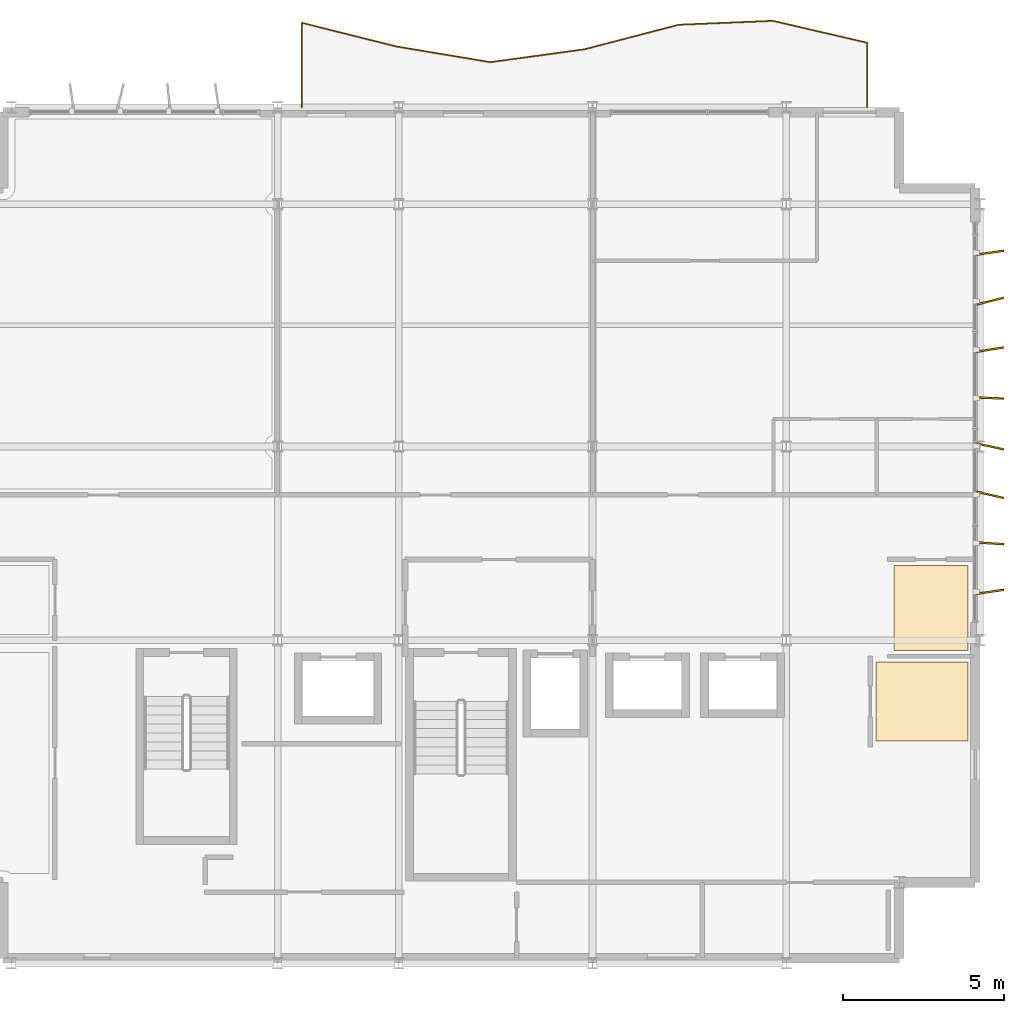
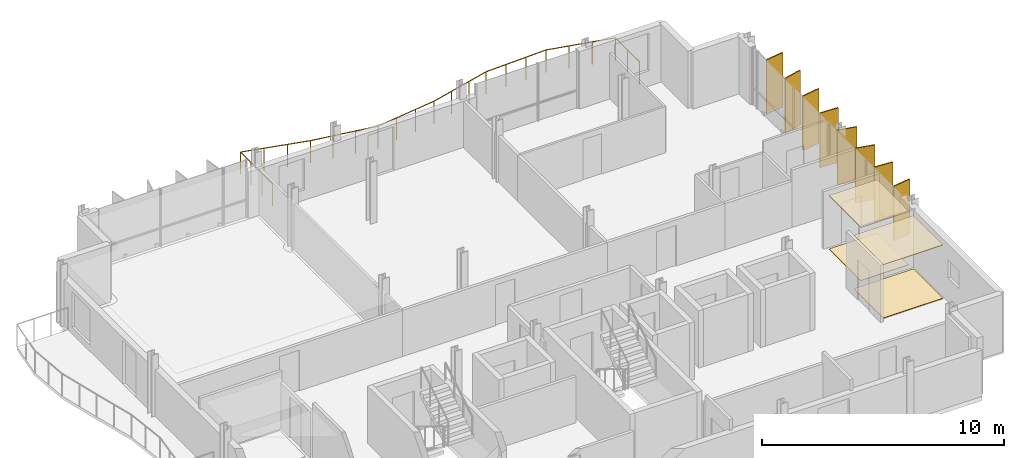
# One storey, part 12 of 12: 8 shading devices, 4 coverings, 1 railing.
"""IFC4 building model written with IfcOpenShell, lengths in metres."""

from ifc_helpers import new_model, si_unit, direction, frame, origin, origin_2d, place, context, subcontext, project, spatial, polyline, rectangle, circle, outline, extrude, material, layer, layer_set, type_object, element, save


model = new_model("IFC4")

# Units and contexts
model_context = context("Model", 3, precision=1e-05, world=origin(), true_north=direction((0.0, 1.0)))
body_context = subcontext(model_context, "Body", "Model", "MODEL_VIEW")
ifc_project = project(units=[si_unit("LENGTHUNIT", "METRE"), si_unit("AREAUNIT", "SQUARE_METRE"), si_unit("VOLUMEUNIT", "CUBIC_METRE"), si_unit("PLANEANGLEUNIT", "RADIAN"), si_unit("MASSUNIT", "GRAM", prefix="KILO")], contexts=[model_context])

# Site, building, storey
site_placement = place(None, origin())
site = spatial("IfcSite", under=ifc_project, at=site_placement, CompositionType="ELEMENT")
building_placement = place(site_placement, origin())
building = spatial("IfcBuilding", under=site, at=building_placement, Name="Brevholm Reach", CompositionType="ELEMENT")
storey_placement = place(building_placement, frame((0.0, 0.0, 230.39990234375)))
storey = spatial("IfcBuildingStorey", under=building, at=storey_placement, Name="L70", CompositionType="ELEMENT", Elevation=230.39990234375)

# Coverings
ifc_material_1 = material(Name="Perforated Mineral-Fibre Class-A Acoustic Suspended Ceiling", Category="gypsum")
ifc_layer_1 = layer(ifc_material_1, 0.044921875)
ifc_layer_set_1 = layer_set([ifc_layer_1], Name="Perforated Mineral-Fibre Class-A Acoustic Suspended Ceiling")
covering_type_1 = type_object("IfcCoveringType", Name="COV-CLG-AC", PredefinedType="CEILING", material=ifc_layer_set_1)
covering_1_placement = place(storey_placement, frame((0.0, 0.0, 2.675048828125)))
element("IfcCovering", 1, at=covering_1_placement, inside=storey, type_object=covering_type_1, Name="L70 Suspended Ceiling L70-21", PredefinedType="CEILING", context=body_context, shape_type="SweptSolid", body=[
    extrude(outline(polyline([(57.330078125, 12.31591796875), (59.6201171875, 12.31591796875), (59.6201171875, 10.123779296875), (59.6171875, 10.1162109375), (59.607666015625, 10.077880859375), (59.601806640625, 10.039306640625), (59.60009765625, 10.0), (59.601806640625, 9.960693359375), (59.607666015625, 9.922119140625), (59.6171875, 9.8837890625), (59.6201171875, 9.876220703125), (59.6201171875, 9.68408203125), (57.330078125, 9.68408203125), (57.330078125, 12.31591796875)])), origin(), (0.0, 0.0, 1.0), 0.045166015625),
])
ifc_material_2 = material(Name="Moisture-Resistant Skimmed Gypsum Plasterboard Ceiling", Category="gypsum")
ifc_layer_2 = layer(ifc_material_2, 0.030029296875)
ifc_layer_set_2 = layer_set([ifc_layer_2], Name="Moisture-Resistant Skimmed Gypsum Plasterboard Ceiling")
covering_type_2 = type_object("IfcCoveringType", Name="COV-CLG-GYP", PredefinedType="CEILING", material=ifc_layer_set_2)
covering_2_placement = place(storey_placement, frame((0.0, 0.0, 2.690185546875)))
element("IfcCovering", 2, at=covering_2_placement, inside=storey, type_object=covering_type_2, Name="L70 Suspended Ceiling L70-19", PredefinedType="CEILING", context=body_context, shape_type="SweptSolid", body=[
    extrude(outline(polyline([(59.6201171875, 9.320068359375), (59.6201171875, 6.8798828125), (56.783935546875, 6.8798828125), (56.783935546875, 9.320068359375), (59.6201171875, 9.320068359375)])), origin(), (0.0, 0.0, 1.0), 0.030029296875),
])
ifc_material_3 = material(Name="Engineered European Oak Acoustic Plank Flooring", Category="timber")
ifc_layer_3 = layer(ifc_material_3, 0.02197265625)
ifc_layer_set_3 = layer_set([ifc_layer_3], Name="Engineered European Oak Acoustic Plank Flooring")
covering_type_3 = type_object("IfcCoveringType", Name="COV-FLR-OAK", PredefinedType="FLOORING", material=ifc_layer_set_3)
covering_3_placement = place(storey_placement, origin())
element("IfcCovering", 3, at=covering_3_placement, inside=storey, type_object=covering_type_3, Name="L70 Floor Finish L70-21", PredefinedType="FLOORING", context=body_context, shape_type="SweptSolid", body=[
    extrude(outline(polyline([(57.330078125, 12.31591796875), (59.6201171875, 12.31591796875), (59.6201171875, 10.123779296875), (59.6171875, 10.1162109375), (59.607666015625, 10.077880859375), (59.601806640625, 10.039306640625), (59.60009765625, 10.0), (59.601806640625, 9.960693359375), (59.607666015625, 9.922119140625), (59.6171875, 9.8837890625), (59.6201171875, 9.876220703125), (59.6201171875, 9.68408203125), (57.330078125, 9.68408203125), (57.330078125, 12.31591796875)])), origin(), (0.0, 0.0, 1.0), 0.022216796875),
])
ifc_material_4 = material(Name="Honed Portland-Aggregate Resin Terrazzo Flooring", Category="concrete")
ifc_layer_4 = layer(ifc_material_4, 0.031982421875)
ifc_layer_set_4 = layer_set([ifc_layer_4], Name="Honed Portland-Aggregate Resin Terrazzo Flooring")
covering_type_4 = type_object("IfcCoveringType", Name="COV-FLR-TRZ", PredefinedType="FLOORING", material=ifc_layer_set_4)
covering_4_placement = place(storey_placement, origin())
element("IfcCovering", 4, at=covering_4_placement, inside=storey, type_object=covering_type_4, Name="L70 Floor Finish L70-19", PredefinedType="FLOORING", context=body_context, shape_type="SweptSolid", body=[
    extrude(outline(polyline([(59.6201171875, 9.320068359375), (59.6201171875, 6.8798828125), (56.783935546875, 6.8798828125), (56.783935546875, 9.320068359375), (59.6201171875, 9.320068359375)])), origin(), (0.0, 0.0, 1.0), 0.031982421875),
])

# Railing
ifc_material_5 = material(Name="Brushed Stainless Steel EN 1.4401 and Laminated Glass", Category="steel")
railing_type = type_object("IfcRailingType", Name="RAL-BALC-1150", PredefinedType="BALUSTRADE", material=ifc_material_5)
railing_placement = place(storey_placement, frame((56.5, 26.5, 0.0)))
element("IfcRailing", 5, at=railing_placement, inside=storey, type_object=railing_type, Name="L70 Guard Balustrade RAL-L70-BAL-NE", PredefinedType="BALUSTRADE", context=body_context, shape_type="SweptSolid", body=[
    extrude(circle(Radius=0.02392578125, at=origin_2d()), frame((0.0, 0.0, 1.1259765625), z_axis=(0.0, 1.0, 0.0), x_axis=(-1.0, 0.0, 0.0)), (0.0, 0.0, 1.0), 2.00439453125),
    extrude(circle(Radius=0.02392578125, at=origin_2d()), frame((0.0, 2.00439453125, 1.1259765625), z_axis=(-0.974086615793, 0.226175296912, 0.0), x_axis=(-0.226175296912, -0.974086615793, 0.0)), (0.0, 0.0, 1.0), 2.994384765625),
    extrude(circle(Radius=0.02392578125, at=origin_2d()), frame((-2.916748046875, 2.681640625, 1.1259765625), z_axis=(-0.999139150441, -0.041484431493, 0.0), x_axis=(0.041484431493, -0.999139150441, 0.0)), (0.0, 0.0, 1.0), 2.9189453125),
    extrude(circle(Radius=0.02392578125, at=origin_2d()), frame((-5.833251953125, 2.560546875, 1.1259765625), z_axis=(-0.967688627029, -0.252148212601, 0.0), x_axis=(0.252148212601, -0.967688627029, 0.0)), (0.0, 0.0, 1.0), 3.01416015625),
    extrude(circle(Radius=0.02392578125, at=origin_2d()), frame((-8.75, 1.800537109375, 1.1259765625), z_axis=(-0.990776091279, -0.135509176626, 0.0), x_axis=(0.135509176626, -0.990776091279, 0.0)), (0.0, 0.0, 1.0), 2.94384765625),
    extrude(circle(Radius=0.02392578125, at=origin_2d()), frame((-11.666748046875, 1.401611328125, 1.1259765625), z_axis=(-0.986326897089, 0.164800643445, 0.0), x_axis=(-0.164800643445, -0.986326897089, 0.0)), (0.0, 0.0, 1.0), 2.95703125),
    extrude(circle(Radius=0.02392578125, at=origin_2d()), frame((-14.583251953125, 1.888916015625, 1.1259765625), z_axis=(-0.969908046993, 0.243471518618, 0.0), x_axis=(-0.243471518618, -0.969908046993, 0.0)), (0.0, 0.0, 1.0), 3.00732421875),
    extrude(circle(Radius=0.02392578125, at=origin_2d()), frame((-17.5, 2.62109375, 1.1259765625), z_axis=(0.0, -1.0, 0.0), x_axis=(1.0, 0.0, 0.0)), (0.0, 0.0, 1.0), 2.62109375),
    extrude(circle(Radius=0.02099609375, at=origin_2d()), origin(), (0.0, 0.0, 1.0), 1.101806640625),
    extrude(circle(Radius=0.02099609375, at=origin_2d()), frame((0.0, 1.002197265625, 0.0)), (0.0, 0.0, 1.0), 1.101806640625),
    extrude(circle(Radius=0.02099609375, at=origin_2d()), frame((0.0, 2.00439453125, 0.0)), (0.0, 0.0, 1.0), 1.101806640625),
    extrude(circle(Radius=0.02099609375, at=origin_2d()), frame((-0.97216796875, 2.230224609375, 0.0)), (0.0, 0.0, 1.0), 1.101806640625),
    extrude(circle(Radius=0.02099609375, at=origin_2d()), frame((-1.944580078125, 2.455810546875, 0.0)), (0.0, 0.0, 1.0), 1.101806640625),
    extrude(circle(Radius=0.02099609375, at=origin_2d()), frame((-2.916748046875, 2.681640625, 0.0)), (0.0, 0.0, 1.0), 1.101806640625),
    extrude(circle(Radius=0.02099609375, at=origin_2d()), frame((-3.888916015625, 2.641357421875, 0.0)), (0.0, 0.0, 1.0), 1.101806640625),
    extrude(circle(Radius=0.02099609375, at=origin_2d()), frame((-4.861083984375, 2.600830078125, 0.0)), (0.0, 0.0, 1.0), 1.101806640625),
    extrude(circle(Radius=0.02099609375, at=origin_2d()), frame((-5.833251953125, 2.560546875, 0.0)), (0.0, 0.0, 1.0), 1.101806640625),
    extrude(circle(Radius=0.02099609375, at=origin_2d()), frame((-6.805419921875, 2.30712890625, 0.0)), (0.0, 0.0, 1.0), 1.101806640625),
    extrude(circle(Radius=0.02099609375, at=origin_2d()), frame((-7.77783203125, 2.053955078125, 0.0)), (0.0, 0.0, 1.0), 1.101806640625),
    extrude(circle(Radius=0.02099609375, at=origin_2d()), frame((-8.75, 1.800537109375, 0.0)), (0.0, 0.0, 1.0), 1.101806640625),
    extrude(circle(Radius=0.02099609375, at=origin_2d()), frame((-9.72216796875, 1.66748046875, 0.0)), (0.0, 0.0, 1.0), 1.101806640625),
    extrude(circle(Radius=0.02099609375, at=origin_2d()), frame((-10.694580078125, 1.53466796875, 0.0)), (0.0, 0.0, 1.0), 1.101806640625),
    extrude(circle(Radius=0.02099609375, at=origin_2d()), frame((-11.666748046875, 1.401611328125, 0.0)), (0.0, 0.0, 1.0), 1.101806640625),
    extrude(circle(Radius=0.02099609375, at=origin_2d()), frame((-12.638916015625, 1.56396484375, 0.0)), (0.0, 0.0, 1.0), 1.101806640625),
    extrude(circle(Radius=0.02099609375, at=origin_2d()), frame((-13.611083984375, 1.7265625, 0.0)), (0.0, 0.0, 1.0), 1.101806640625),
    extrude(circle(Radius=0.02099609375, at=origin_2d()), frame((-14.583251953125, 1.888916015625, 0.0)), (0.0, 0.0, 1.0), 1.101806640625),
    extrude(circle(Radius=0.02099609375, at=origin_2d()), frame((-15.555419921875, 2.133056640625, 0.0)), (0.0, 0.0, 1.0), 1.101806640625),
    extrude(circle(Radius=0.02099609375, at=origin_2d()), frame((-16.52783203125, 2.376953125, 0.0)), (0.0, 0.0, 1.0), 1.101806640625),
    extrude(circle(Radius=0.02099609375, at=origin_2d()), frame((-17.5, 2.62109375, 0.0)), (0.0, 0.0, 1.0), 1.101806640625),
    extrude(circle(Radius=0.02099609375, at=origin_2d()), frame((-17.5, 1.747314453125, 0.0)), (0.0, 0.0, 1.0), 1.101806640625),
    extrude(circle(Radius=0.02099609375, at=origin_2d()), frame((-17.5, 0.873779296875, 0.0)), (0.0, 0.0, 1.0), 1.101806640625),
    extrude(circle(Radius=0.02099609375, at=origin_2d()), frame((-17.5, 0.0, 0.0)), (0.0, 0.0, 1.0), 1.101806640625),
])

# Shading devices
ifc_material_6 = material(Name="Perforated Champagne-Bronze Anodised Aluminium", Category="aluminium")
ifc_layer_5 = layer(ifc_material_6, 0.054931640625)
ifc_layer_set_5 = layer_set([ifc_layer_5], Name="Perforated Champagne-Bronze Anodised Aluminium")
shading_device_type = type_object("IfcShadingDeviceType", Name="SHD-FIN-850", PredefinedType="USERDEFINED", material=ifc_layer_set_5)
for number, where, z_axis, x_axis, name in (
    (6, (60.31494140625, 11.5, 0.070068359375), (0.0, 0.0, 1.0), (0.989578631914, 0.143993511169, 0.0), "L70 Perforated Solar Screen Fin 1"),
    (7, (60.31494140625, 13.0, 0.070068359375), (0.0, 0.0, 1.0), (0.997954852624, -0.063922704289, 0.0), "L70 Perforated Solar Screen Fin 2"),
    (8, (60.31494140625, 14.5, 0.070068359375), (0.0, 0.0, 1.0), (0.974959526937, -0.222382375279, 0.0), "L70 Perforated Solar Screen Fin 3"),
    (9, (60.31494140625, 16.0, 0.070068359375), (0.0, 0.0, 1.0), (0.976829425131, -0.214019331365, 0.0), "L70 Perforated Solar Screen Fin 4"),
    (10, (60.31494140625, 17.5, 0.070068359375), (0.0, 0.0, 1.0), (0.999001215972, -0.044682999976, 0.0), "L70 Perforated Solar Screen Fin 5"),
    (11, (60.31494140625, 19.0, 0.070068359375), (0.0, 0.0, 1.0), (0.987236526526, 0.159260920166, 0.0), "L70 Perforated Solar Screen Fin 6"),
    (12, (60.31494140625, 20.5, 0.070068359375), (0.0, 0.0, 1.0), (0.970342154064, 0.241735607736, 0.0), "L70 Perforated Solar Screen Fin 7"),
    (13, (60.31494140625, 22.0, 0.070068359375), (0.0, 0.0, 1.0), (0.989578631914, 0.143993511169, 0.0), "L70 Perforated Solar Screen Fin 8"),
):
    element("IfcShadingDevice", number, at=place(storey_placement, frame(where, z_axis=z_axis, x_axis=x_axis)), inside=storey, type_object=shading_device_type, Name=name, ObjectType="SCREEN", PredefinedType="USERDEFINED", context=body_context, shape_type="SweptSolid", body=[
        extrude(rectangle(XDim=0.85009765625, YDim=0.054931640625, at=origin_2d()), origin(), (0.0, 0.0, 1.0), 2.75),
    ])

save(model, "model.ifc")
